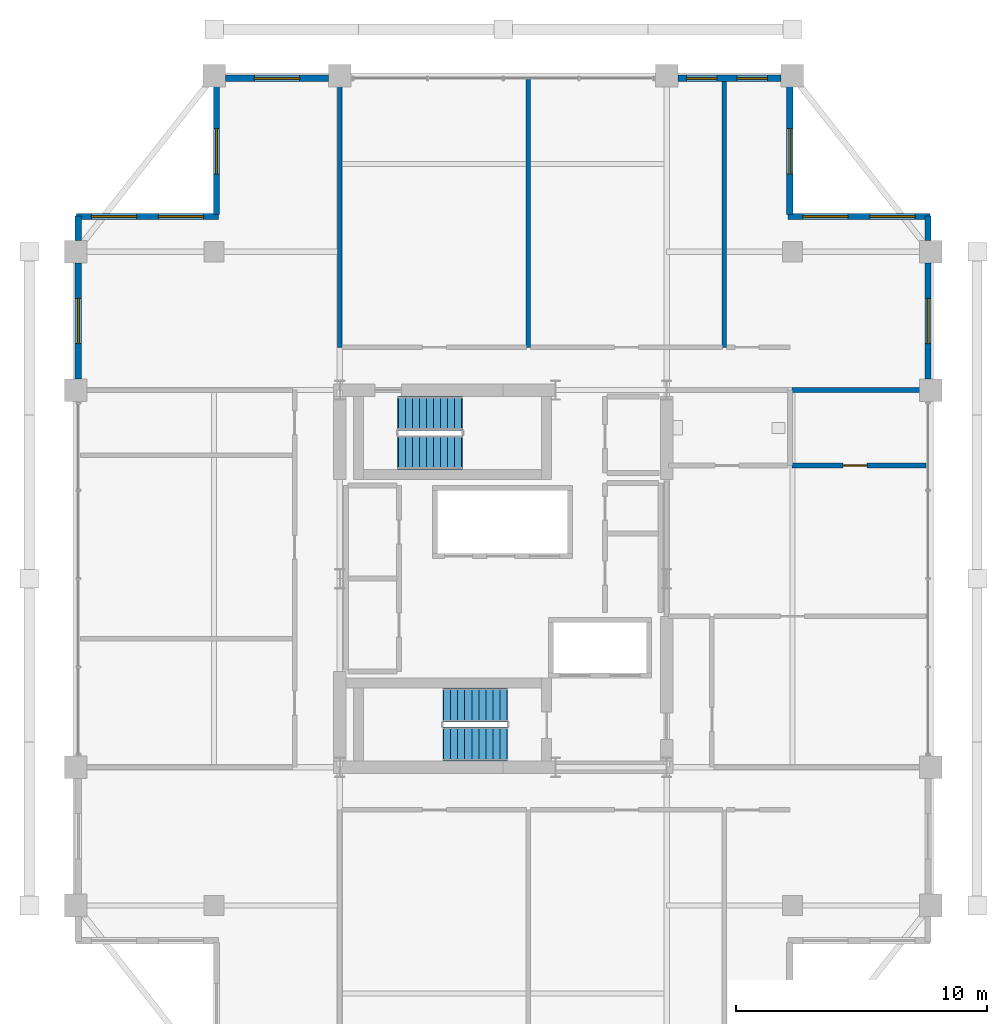
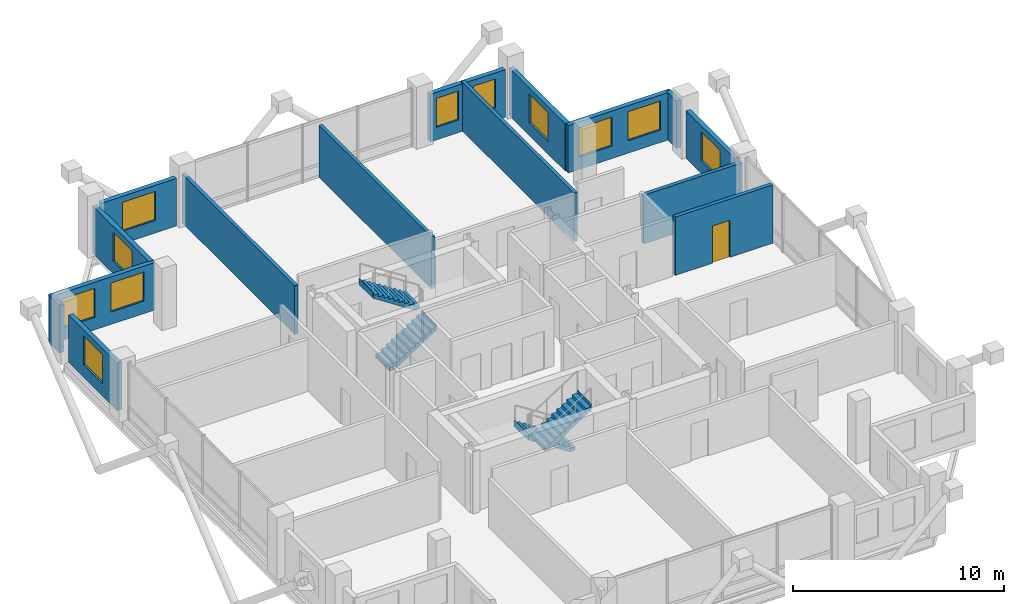
# One storey, part 20 of 22: 15 walls, 11 windows, 4 stair flights, 1 door, 12 openings, 2 elements without a shape of their own.
"""IFC4 building model written with IfcOpenShell, lengths in metres."""

from ifc_helpers import new_model, si_unit, direction, frame, frame_2d, origin, place, context, subcontext, project, spatial, polyline, rectangle, outline, extrude, material, layer, layer_set, type_object, element, fill, aggregate, save


model = new_model("IFC4")

# Units and contexts
model_context = context("Model", 3, precision=1e-05, world=origin(), true_north=direction((0.0, 1.0)))
body_context = subcontext(model_context, "Body", "Model", "MODEL_VIEW")
ifc_project = project(units=[si_unit("LENGTHUNIT", "METRE"), si_unit("AREAUNIT", "SQUARE_METRE"), si_unit("VOLUMEUNIT", "CUBIC_METRE"), si_unit("PLANEANGLEUNIT", "RADIAN"), si_unit("MASSUNIT", "GRAM", prefix="KILO")], contexts=[model_context])

# Site, building, storey
site_placement = place(None, origin())
site = spatial("IfcSite", under=ifc_project, at=site_placement, CompositionType="ELEMENT")
building_placement = place(site_placement, origin())
building = spatial("IfcBuilding", under=site, at=building_placement, Name="Barlavira Tower and Art Museum", CompositionType="ELEMENT")
storey_placement = place(building_placement, frame((0.0, 0.0, 258.300048828125)))
storey = spatial("IfcBuildingStorey", under=building, at=storey_placement, Name="L67", CompositionType="ELEMENT", Elevation=258.300048828125)

# Wall, opening, door
ifc_material_1 = material(Name="Autoclaved aerated concrete masonry", Category="masonry")
ifc_layer_1 = layer(ifc_material_1, 0.199951171875, Name="Autoclaved aerated concrete masonry")
ifc_layer_set_1 = layer_set([ifc_layer_1], Name="Autoclaved aerated concrete masonry")
wall_type_1 = type_object("IfcWallType", Name="Fire Compartment and Shaft Wall 200", PredefinedType="SOLIDWALL", material=ifc_layer_set_1)
wall_1_placement = place(storey_placement, frame((11.47998046875, 4.5, 0.0), z_axis=(0.0, 0.0, 1.0), x_axis=(1.0, 0.0, 0.0)))
wall_1 = element("IfcWall", 1, at=wall_1_placement, inside=storey, type_object=wall_type_1, Name="L67 Partition Wall 31", PredefinedType="SOLIDWALL", context=body_context, shape_type="SweptSolid", body=[
    extrude(rectangle(XDim=5.340087890625, YDim=0.199951171875, at=frame_2d((2.669921875, 0.0))), origin(), (0.0, 0.0, 1.0), 3.3798828125),
])
opening_1_placement = place(wall_1_placement, frame((2.044921875, 0.0, 0.0)))
opening_1 = element("IfcOpeningElement", 2, at=opening_1_placement, cuts=wall_1, Name="Opening FD-60", PredefinedType="OPENING", context=body_context, shape_type="SweptSolid", body=[
    extrude(rectangle(XDim=0.949951171875, YDim=2.14990234375, at=frame_2d((0.47509765625, 1.074951171875))), frame((0.0, 0.10986328125, 0.0), z_axis=(0.0, -1.0, 0.0), x_axis=(1.0, 0.0, 0.0)), (0.0, 0.0, 1.0), 0.219970703125),
])
ifc_material_2 = material(Name="Brushed stainless steel", Category="steel")
door_type = type_object("IfcDoorType", Name="Apartment Entrance and Riser Fire Door 950x2150 FD60S", OperationType="NOTDEFINED", PredefinedType="DOOR", material=ifc_material_2)
door_placement = place(opening_1_placement, origin())
door = element("IfcDoor", 3, at=door_placement, inside=storey, type_object=door_type, Name="High-Rise Amenity Linen Store Door", OperationType="SINGLE_SWING_LEFT", OverallHeight=2.14990234375, OverallWidth=0.949951171875, PredefinedType="DOOR", context=body_context, shape_type="SweptSolid", body=[
    extrude(rectangle(XDim=0.949951171875, YDim=2.14990234375, at=frame_2d((0.47509765625, 1.074951171875))), frame((0.0, 0.02490234375, 0.0), z_axis=(0.0, -1.0, 0.0), x_axis=(1.0, 0.0, 0.0)), (0.0, 0.0, 1.0), 0.050048828125),
])
fill(opening_1, door)

# Walls
wall_2_placement = place(storey_placement, frame((11.47998046875, 7.5, 0.0), z_axis=(0.0, 0.0, 1.0), x_axis=(1.0, 0.0, 0.0)))
element("IfcWall", 4, at=wall_2_placement, inside=storey, type_object=wall_type_1, Name="L67 Partition Wall 36", PredefinedType="SOLIDWALL", context=body_context, shape_type="SweptSolid", body=[
    extrude(rectangle(XDim=5.419921875, YDim=0.199951171875, at=frame_2d((2.7099609375, 0.0))), origin(), (0.0, 0.0, 1.0), 2.825927734375),
])
ifc_material_3 = material(Name="Gypsum acoustic stud partition", Category="gypsum")
ifc_layer_2 = layer(ifc_material_3, 0.179931640625, Name="Gypsum acoustic stud partition")
ifc_layer_set_2 = layer_set([ifc_layer_2], Name="Gypsum acoustic stud partition")
wall_type_2 = type_object("IfcWallType", Name="Inter-Tenancy Party Partition Wall 180", PredefinedType="PARTITIONING", material=ifc_layer_set_2)
wall_3_placement = place(storey_placement, frame((-6.5, 9.199951171875, 0.0), z_axis=(0.0, 0.0, 1.0), x_axis=(0.0, 1.0, 0.0)))
element("IfcWall", 5, at=wall_3_placement, inside=storey, type_object=wall_type_2, Name="L67 Partition Wall 3", PredefinedType="PARTITIONING", context=body_context, shape_type="SweptSolid", body=[
    extrude(rectangle(XDim=10.699951171875, YDim=0.179931640625, at=frame_2d((5.35009765625, 0.0))), origin(), (0.0, 0.0, 1.0), 2.825927734375),
])
wall_4_placement = place(storey_placement, frame((1.0, 9.199951171875, 0.0), z_axis=(0.0, 0.0, 1.0), x_axis=(0.0, 1.0, 0.0)))
element("IfcWall", 6, at=wall_4_placement, inside=storey, type_object=wall_type_2, Name="L67 Partition Wall 7", PredefinedType="PARTITIONING", context=body_context, shape_type="SweptSolid", body=[
    extrude(rectangle(XDim=10.699951171875, YDim=0.179931640625, at=frame_2d((5.35009765625, 0.0))), origin(), (0.0, 0.0, 1.0), 3.01806640625),
])
wall_5_placement = place(storey_placement, frame((8.800048828125, 9.199951171875, 0.0), z_axis=(0.0, 0.0, 1.0), x_axis=(0.0, 1.0, 0.0)))
element("IfcWall", 7, at=wall_5_placement, inside=storey, type_object=wall_type_2, Name="L67 Partition Wall 14", PredefinedType="PARTITIONING", context=body_context, shape_type="SweptSolid", body=[
    extrude(rectangle(XDim=10.699951171875, YDim=0.179931640625, at=frame_2d((5.35009765625, 0.0))), origin(), (0.0, 0.0, 1.0), 2.825927734375),
])

# Wall, openings, windows
ifc_material_4 = material(Name="Precast concrete C40", Category="concrete")
ifc_layer_3 = layer(ifc_material_4, 0.25, Name="Precast concrete C40")
ifc_layer_set_3 = layer_set([ifc_layer_3], Name="Precast concrete C40")
wall_type_3 = type_object("IfcWallType", Name="Notched Corner Spandrel Wall 250 Precast Concrete C40", PredefinedType="SOLIDWALL", material=ifc_layer_set_3)
wall_6_placement = place(storey_placement, frame((11.054931640625, 19.89990234375, 0.0), z_axis=(0.0, 0.0, 1.0), x_axis=(-1.0, 0.0, 0.0)))
wall_6 = element("IfcWall", 8, at=wall_6_placement, inside=storey, type_object=wall_type_3, Name="L67 Coastal Facade Pier Wall CW4-L67-N-1", PredefinedType="SOLIDWALL", context=body_context, shape_type="SweptSolid", body=[
    extrude(rectangle(XDim=4.10986328125, YDim=0.25, at=frame_2d((2.054931640625, 0.0))), origin(), (0.0, 0.0, 1.0), 2.748046875),
])
opening_2_placement = place(wall_6_placement, frame((0.550048828125, 0.0, 0.719970703125)))
opening_2 = element("IfcOpeningElement", 9, at=opening_2_placement, cuts=wall_6, Name="Opening WN-05", PredefinedType="OPENING", context=body_context, shape_type="SweptSolid", body=[
    extrude(rectangle(XDim=1.199951171875, YDim=1.679931640625, at=frame_2d((0.60009765625, 0.83984375))), frame((0.0, 0.135009765625, 0.0), z_axis=(0.0, -1.0, 0.0), x_axis=(1.0, 0.0, 0.0)), (0.0, 0.0, 1.0), 0.27001953125),
])
opening_3_placement = place(wall_6_placement, frame((2.56005859375, 0.0, 0.719970703125)))
opening_3 = element("IfcOpeningElement", 10, at=opening_3_placement, cuts=wall_6, Name="Opening WN-05", PredefinedType="OPENING", context=body_context, shape_type="SweptSolid", body=[
    extrude(rectangle(XDim=1.199951171875, YDim=1.679931640625, at=frame_2d((0.60009765625, 0.83984375))), frame((0.0, 0.135009765625, 0.0), z_axis=(0.0, -1.0, 0.0), x_axis=(1.0, 0.0, 0.0)), (0.0, 0.0, 1.0), 0.27001953125),
])
ifc_material_5 = material(Name="Low-iron coastal laminated glass", Category="glass")
window_type_1 = type_object("IfcWindowType", Name="Recessed Flank Pier Punch Window 1200x1680", PartitioningType="SINGLE_PANEL", PredefinedType="WINDOW", material=ifc_material_5)
window_1_placement = place(opening_2_placement, origin())
window_1 = element("IfcWindow", 11, at=window_1_placement, inside=storey, type_object=window_type_1, Name="L67 Punched Facade Window EWP-CW4-L67-N-1-1", OverallHeight=1.679931640625, OverallWidth=1.199951171875, PartitioningType="SINGLE_PANEL", PredefinedType="WINDOW", context=body_context, shape_type="SweptSolid", body=[
    extrude(rectangle(XDim=1.199951171875, YDim=1.679931640625, at=frame_2d((0.60009765625, 0.83984375))), frame((0.0, 0.030029296875, 0.0), z_axis=(0.0, -1.0, 0.0), x_axis=(1.0, 0.0, 0.0)), (0.0, 0.0, 1.0), 0.06005859375),
])
fill(opening_2, window_1)
window_2_placement = place(opening_3_placement, origin())
window_2 = element("IfcWindow", 12, at=window_2_placement, inside=storey, type_object=window_type_1, Name="L67 Punched Facade Window EWP-CW4-L67-N-1-2", OverallHeight=1.679931640625, OverallWidth=1.199951171875, PartitioningType="SINGLE_PANEL", PredefinedType="WINDOW", context=body_context, shape_type="SweptSolid", body=[
    extrude(rectangle(XDim=1.199951171875, YDim=1.679931640625, at=frame_2d((0.60009765625, 0.83984375))), frame((0.0, 0.030029296875, 0.0), z_axis=(0.0, -1.0, 0.0), x_axis=(1.0, 0.0, 0.0)), (0.0, 0.0, 1.0), 0.06005859375),
])
fill(opening_3, window_2)

# Wall, opening, window
wall_7_placement = place(storey_placement, frame((-6.945068359375, 19.89990234375, 0.0), z_axis=(0.0, 0.0, 1.0), x_axis=(-1.0, 0.0, 0.0)))
wall_7 = element("IfcWall", 13, at=wall_7_placement, inside=storey, type_object=wall_type_3, Name="L67 Coastal Facade Pier Wall CW4-L67-N-3", PredefinedType="SOLIDWALL", context=body_context, shape_type="SweptSolid", body=[
    extrude(rectangle(XDim=4.10986328125, YDim=0.25, at=frame_2d((2.054931640625, 0.0))), origin(), (0.0, 0.0, 1.0), 2.748046875),
])
opening_4_placement = place(wall_7_placement, frame((1.155029296875, 0.0, 0.719970703125)))
opening_4 = element("IfcOpeningElement", 14, at=opening_4_placement, cuts=wall_7, Name="Opening WN-01", PredefinedType="OPENING", context=body_context, shape_type="SweptSolid", body=[
    extrude(rectangle(XDim=1.800048828125, YDim=1.679931640625, at=frame_2d((0.89990234375, 0.83984375))), frame((0.0, 0.135009765625, 0.0), z_axis=(0.0, -1.0, 0.0), x_axis=(1.0, 0.0, 0.0)), (0.0, 0.0, 1.0), 0.27001953125),
])
window_type_2 = type_object("IfcWindowType", Name="Recessed Notch Corner Punch Window 1800x1680", PartitioningType="SINGLE_PANEL", PredefinedType="WINDOW", material=ifc_material_5)
window_3_placement = place(opening_4_placement, origin())
window_3 = element("IfcWindow", 15, at=window_3_placement, inside=storey, type_object=window_type_2, Name="L67 Punched Facade Window EWP-CW4-L67-N-3-1", OverallHeight=1.679931640625, OverallWidth=1.800048828125, PartitioningType="SINGLE_PANEL", PredefinedType="WINDOW", context=body_context, shape_type="SweptSolid", body=[
    extrude(rectangle(XDim=1.800048828125, YDim=1.679931640625, at=frame_2d((0.89990234375, 0.83984375))), frame((0.0, 0.030029296875, 0.0), z_axis=(0.0, -1.0, 0.0), x_axis=(1.0, 0.0, 0.0)), (0.0, 0.0, 1.0), 0.06005859375),
])
fill(opening_4, window_3)

# Wall
wall_8_placement = place(storey_placement, frame((-16.89990234375, 14.425048828125, 0.0), z_axis=(0.0, 0.0, 1.0), x_axis=(0.0, -1.0, 0.0)))
element("IfcWall", 16, at=wall_8_placement, inside=storey, type_object=wall_type_3, Name="L67 Coastal Facade Pier Wall CW4-L67-W-1", PredefinedType="SOLIDWALL", context=body_context, shape_type="SweptSolid", body=[
    extrude(rectangle(XDim=0.97998046875, YDim=0.25, at=frame_2d((0.489990234375, 0.0))), origin(), (0.0, 0.0, 1.0), 2.748046875),
])

# Wall, opening, window
wall_9_placement = place(storey_placement, frame((-16.89990234375, 12.554931640625, 0.0), z_axis=(0.0, 0.0, 1.0), x_axis=(0.0, -1.0, 0.0)))
wall_9 = element("IfcWall", 17, at=wall_9_placement, inside=storey, type_object=wall_type_3, Name="L67 Coastal Facade Pier Wall CW4-L67-W-2", PredefinedType="SOLIDWALL", context=body_context, shape_type="SweptSolid", body=[
    extrude(rectangle(XDim=4.60986328125, YDim=0.25, at=frame_2d((2.304931640625, 0.0))), origin(), (0.0, 0.0, 1.0), 2.748046875),
])
opening_5_placement = place(wall_9_placement, frame((1.405029296875, 0.0, 0.719970703125)))
opening_5 = element("IfcOpeningElement", 18, at=opening_5_placement, cuts=wall_9, Name="Opening WN-01", PredefinedType="OPENING", context=body_context, shape_type="SweptSolid", body=[
    extrude(rectangle(XDim=1.800048828125, YDim=1.679931640625, at=frame_2d((0.89990234375, 0.83984375))), frame((0.0, 0.135009765625, 0.0), z_axis=(0.0, -1.0, 0.0), x_axis=(1.0, 0.0, 0.0)), (0.0, 0.0, 1.0), 0.27001953125),
])
window_4_placement = place(opening_5_placement, origin())
window_4 = element("IfcWindow", 19, at=window_4_placement, inside=storey, type_object=window_type_2, Name="L67 Punched Facade Window EWP-CW4-L67-W-2-1", OverallHeight=1.679931640625, OverallWidth=1.800048828125, PartitioningType="SINGLE_PANEL", PredefinedType="WINDOW", context=body_context, shape_type="SweptSolid", body=[
    extrude(rectangle(XDim=1.800048828125, YDim=1.679931640625, at=frame_2d((0.89990234375, 0.83984375))), frame((0.0, 0.030029296875, 0.0), z_axis=(0.0, -1.0, 0.0), x_axis=(1.0, 0.0, 0.0)), (0.0, 0.0, 1.0), 0.06005859375),
])
fill(opening_5, window_4)

wall_10_placement = place(storey_placement, frame((16.89990234375, 7.945068359375, 0.0), z_axis=(0.0, 0.0, 1.0), x_axis=(0.0, 1.0, 0.0)))
wall_10 = element("IfcWall", 20, at=wall_10_placement, inside=storey, type_object=wall_type_3, Name="L67 Coastal Facade Pier Wall CW4-L67-E-4", PredefinedType="SOLIDWALL", context=body_context, shape_type="SweptSolid", body=[
    extrude(rectangle(XDim=4.60986328125, YDim=0.25, at=frame_2d((2.304931640625, 0.0))), origin(), (0.0, 0.0, 1.0), 2.748046875),
])
opening_6_placement = place(wall_10_placement, frame((1.405029296875, 0.0, 0.719970703125)))
opening_6 = element("IfcOpeningElement", 21, at=opening_6_placement, cuts=wall_10, Name="Opening WN-01", PredefinedType="OPENING", context=body_context, shape_type="SweptSolid", body=[
    extrude(rectangle(XDim=1.800048828125, YDim=1.679931640625, at=frame_2d((0.89990234375, 0.83984375))), frame((0.0, 0.135009765625, 0.0), z_axis=(0.0, -1.0, 0.0), x_axis=(1.0, 0.0, 0.0)), (0.0, 0.0, 1.0), 0.27001953125),
])
window_5_placement = place(opening_6_placement, origin())
window_5 = element("IfcWindow", 22, at=window_5_placement, inside=storey, type_object=window_type_2, Name="L67 Punched Facade Window EWP-CW4-L67-E-4-1", OverallHeight=1.679931640625, OverallWidth=1.800048828125, PartitioningType="SINGLE_PANEL", PredefinedType="WINDOW", context=body_context, shape_type="SweptSolid", body=[
    extrude(rectangle(XDim=1.800048828125, YDim=1.679931640625, at=frame_2d((0.89990234375, 0.83984375))), frame((0.0, 0.030029296875, 0.0), z_axis=(0.0, -1.0, 0.0), x_axis=(1.0, 0.0, 0.0)), (0.0, 0.0, 1.0), 0.06005859375),
])
fill(opening_6, window_5)

# Wall
wall_11_placement = place(storey_placement, frame((16.89990234375, 13.445068359375, 0.0), z_axis=(0.0, 0.0, 1.0), x_axis=(0.0, 1.0, 0.0)))
element("IfcWall", 23, at=wall_11_placement, inside=storey, type_object=wall_type_3, Name="L67 Coastal Facade Pier Wall CW4-L67-E-5", PredefinedType="SOLIDWALL", context=body_context, shape_type="SweptSolid", body=[
    extrude(rectangle(XDim=0.97998046875, YDim=0.25, at=frame_2d((0.489990234375, 0.0))), origin(), (0.0, 0.0, 1.0), 2.748046875),
])

# Wall, openings, windows
wall_12_placement = place(storey_placement, frame((16.97998046875, 14.39990234375, 0.0), z_axis=(0.0, 0.0, 1.0), x_axis=(-1.0, 0.0, 0.0)))
wall_12 = element("IfcWall", 24, at=wall_12_placement, inside=storey, type_object=wall_type_3, Name="L67 Notch Corner Wall NE1", PredefinedType="SOLIDWALL", context=body_context, shape_type="SweptSolid", body=[
    extrude(rectangle(XDim=5.659912109375, YDim=0.25, at=frame_2d((2.830078125, 0.0))), origin(), (0.0, 0.0, 1.0), 2.748046875),
])
opening_7_placement = place(wall_12_placement, frame((0.594970703125, 0.0, 0.719970703125)))
opening_7 = element("IfcOpeningElement", 25, at=opening_7_placement, cuts=wall_12, Name="Opening WN-01", PredefinedType="OPENING", context=body_context, shape_type="SweptSolid", body=[
    extrude(rectangle(XDim=1.800048828125, YDim=1.679931640625, at=frame_2d((0.89990234375, 0.83984375))), frame((0.0, 0.135009765625, 0.0), z_axis=(0.0, -1.0, 0.0), x_axis=(1.0, 0.0, 0.0)), (0.0, 0.0, 1.0), 0.27001953125),
])
opening_8_placement = place(wall_12_placement, frame((3.264892578125, 0.0, 0.719970703125)))
opening_8 = element("IfcOpeningElement", 26, at=opening_8_placement, cuts=wall_12, Name="Opening WN-01", PredefinedType="OPENING", context=body_context, shape_type="SweptSolid", body=[
    extrude(rectangle(XDim=1.800048828125, YDim=1.679931640625, at=frame_2d((0.89990234375, 0.83984375))), frame((0.0, 0.135009765625, 0.0), z_axis=(0.0, -1.0, 0.0), x_axis=(1.0, 0.0, 0.0)), (0.0, 0.0, 1.0), 0.27001953125),
])
window_6_placement = place(opening_7_placement, origin())
window_6 = element("IfcWindow", 27, at=window_6_placement, inside=storey, type_object=window_type_2, Name="L67 Punched Facade Window EW-NTC-L67-NE1-1", OverallHeight=1.679931640625, OverallWidth=1.800048828125, PartitioningType="SINGLE_PANEL", PredefinedType="WINDOW", context=body_context, shape_type="SweptSolid", body=[
    extrude(rectangle(XDim=1.800048828125, YDim=1.679931640625, at=frame_2d((0.89990234375, 0.83984375))), frame((0.0, 0.030029296875, 0.0), z_axis=(0.0, -1.0, 0.0), x_axis=(1.0, 0.0, 0.0)), (0.0, 0.0, 1.0), 0.06005859375),
])
fill(opening_7, window_6)
window_7_placement = place(opening_8_placement, origin())
window_7 = element("IfcWindow", 28, at=window_7_placement, inside=storey, type_object=window_type_2, Name="L67 Punched Facade Window EW-NTC-L67-NE1-2", OverallHeight=1.679931640625, OverallWidth=1.800048828125, PartitioningType="SINGLE_PANEL", PredefinedType="WINDOW", context=body_context, shape_type="SweptSolid", body=[
    extrude(rectangle(XDim=1.800048828125, YDim=1.679931640625, at=frame_2d((0.89990234375, 0.83984375))), frame((0.0, 0.030029296875, 0.0), z_axis=(0.0, -1.0, 0.0), x_axis=(1.0, 0.0, 0.0)), (0.0, 0.0, 1.0), 0.06005859375),
])
fill(opening_8, window_7)

# Wall, opening, window
wall_13_placement = place(storey_placement, frame((11.39990234375, 14.47998046875, 0.0), z_axis=(0.0, 0.0, 1.0), x_axis=(0.0, 1.0, 0.0)))
wall_13 = element("IfcWall", 29, at=wall_13_placement, inside=storey, type_object=wall_type_3, Name="L67 Notch Corner Wall NE2", PredefinedType="SOLIDWALL", context=body_context, shape_type="SweptSolid", body=[
    extrude(rectangle(XDim=5.340087890625, YDim=0.25, at=frame_2d((2.669921875, 0.0))), origin(), (0.0, 0.0, 1.0), 2.748046875),
])
opening_9_placement = place(wall_13_placement, frame((1.614990234375, 0.0, 0.719970703125)))
opening_9 = element("IfcOpeningElement", 30, at=opening_9_placement, cuts=wall_13, Name="Opening WN-01", PredefinedType="OPENING", context=body_context, shape_type="SweptSolid", body=[
    extrude(rectangle(XDim=1.800048828125, YDim=1.679931640625, at=frame_2d((0.89990234375, 0.83984375))), frame((0.0, 0.135009765625, 0.0), z_axis=(0.0, -1.0, 0.0), x_axis=(1.0, 0.0, 0.0)), (0.0, 0.0, 1.0), 0.27001953125),
])
window_8_placement = place(opening_9_placement, origin())
window_8 = element("IfcWindow", 31, at=window_8_placement, inside=storey, type_object=window_type_2, Name="L67 Punched Facade Window EW-NTC-L67-NE2-1", OverallHeight=1.679931640625, OverallWidth=1.800048828125, PartitioningType="SINGLE_PANEL", PredefinedType="WINDOW", context=body_context, shape_type="SweptSolid", body=[
    extrude(rectangle(XDim=1.800048828125, YDim=1.679931640625, at=frame_2d((0.89990234375, 0.83984375))), frame((0.0, 0.030029296875, 0.0), z_axis=(0.0, -1.0, 0.0), x_axis=(1.0, 0.0, 0.0)), (0.0, 0.0, 1.0), 0.06005859375),
])
fill(opening_9, window_8)

wall_14_placement = place(storey_placement, frame((-11.39990234375, 19.820068359375, 0.0), z_axis=(0.0, 0.0, 1.0), x_axis=(0.0, -1.0, 0.0)))
wall_14 = element("IfcWall", 32, at=wall_14_placement, inside=storey, type_object=wall_type_3, Name="L67 Notch Corner Wall NW1", PredefinedType="SOLIDWALL", context=body_context, shape_type="SweptSolid", body=[
    extrude(rectangle(XDim=5.340087890625, YDim=0.25, at=frame_2d((2.669921875, 0.0))), origin(), (0.0, 0.0, 1.0), 2.748046875),
])
opening_10_placement = place(wall_14_placement, frame((1.925048828125, 0.0, 0.719970703125)))
opening_10 = element("IfcOpeningElement", 33, at=opening_10_placement, cuts=wall_14, Name="Opening WN-01", PredefinedType="OPENING", context=body_context, shape_type="SweptSolid", body=[
    extrude(rectangle(XDim=1.800048828125, YDim=1.679931640625, at=frame_2d((0.89990234375, 0.83984375))), frame((0.0, 0.135009765625, 0.0), z_axis=(0.0, -1.0, 0.0), x_axis=(1.0, 0.0, 0.0)), (0.0, 0.0, 1.0), 0.27001953125),
])
window_9_placement = place(opening_10_placement, origin())
window_9 = element("IfcWindow", 34, at=window_9_placement, inside=storey, type_object=window_type_2, Name="L67 Punched Facade Window EW-NTC-L67-NW1-1", OverallHeight=1.679931640625, OverallWidth=1.800048828125, PartitioningType="SINGLE_PANEL", PredefinedType="WINDOW", context=body_context, shape_type="SweptSolid", body=[
    extrude(rectangle(XDim=1.800048828125, YDim=1.679931640625, at=frame_2d((0.89990234375, 0.83984375))), frame((0.0, 0.030029296875, 0.0), z_axis=(0.0, -1.0, 0.0), x_axis=(1.0, 0.0, 0.0)), (0.0, 0.0, 1.0), 0.06005859375),
])
fill(opening_10, window_9)

# Wall, openings, windows
wall_15_placement = place(storey_placement, frame((-11.320068359375, 14.39990234375, 0.0), z_axis=(0.0, 0.0, 1.0), x_axis=(-1.0, 0.0, 0.0)))
wall_15 = element("IfcWall", 35, at=wall_15_placement, inside=storey, type_object=wall_type_3, Name="L67 Notch Corner Wall NW2", PredefinedType="SOLIDWALL", context=body_context, shape_type="SweptSolid", body=[
    extrude(rectangle(XDim=5.659912109375, YDim=0.25, at=frame_2d((2.830078125, 0.0))), origin(), (0.0, 0.0, 1.0), 2.748046875),
])
opening_11_placement = place(wall_15_placement, frame((0.594970703125, 0.0, 0.719970703125)))
opening_11 = element("IfcOpeningElement", 36, at=opening_11_placement, cuts=wall_15, Name="Opening WN-01", PredefinedType="OPENING", context=body_context, shape_type="SweptSolid", body=[
    extrude(rectangle(XDim=1.800048828125, YDim=1.679931640625, at=frame_2d((0.89990234375, 0.83984375))), frame((0.0, 0.135009765625, 0.0), z_axis=(0.0, -1.0, 0.0), x_axis=(1.0, 0.0, 0.0)), (0.0, 0.0, 1.0), 0.27001953125),
])
opening_12_placement = place(wall_15_placement, frame((3.264892578125, 0.0, 0.719970703125)))
opening_12 = element("IfcOpeningElement", 37, at=opening_12_placement, cuts=wall_15, Name="Opening WN-01", PredefinedType="OPENING", context=body_context, shape_type="SweptSolid", body=[
    extrude(rectangle(XDim=1.800048828125, YDim=1.679931640625, at=frame_2d((0.89990234375, 0.83984375))), frame((0.0, 0.135009765625, 0.0), z_axis=(0.0, -1.0, 0.0), x_axis=(1.0, 0.0, 0.0)), (0.0, 0.0, 1.0), 0.27001953125),
])
window_10_placement = place(opening_11_placement, origin())
window_10 = element("IfcWindow", 38, at=window_10_placement, inside=storey, type_object=window_type_2, Name="L67 Punched Facade Window EW-NTC-L67-NW2-1", OverallHeight=1.679931640625, OverallWidth=1.800048828125, PartitioningType="SINGLE_PANEL", PredefinedType="WINDOW", context=body_context, shape_type="SweptSolid", body=[
    extrude(rectangle(XDim=1.800048828125, YDim=1.679931640625, at=frame_2d((0.89990234375, 0.83984375))), frame((0.0, 0.030029296875, 0.0), z_axis=(0.0, -1.0, 0.0), x_axis=(1.0, 0.0, 0.0)), (0.0, 0.0, 1.0), 0.06005859375),
])
fill(opening_11, window_10)
window_11_placement = place(opening_12_placement, origin())
window_11 = element("IfcWindow", 39, at=window_11_placement, inside=storey, type_object=window_type_2, Name="L67 Punched Facade Window EW-NTC-L67-NW2-2", OverallHeight=1.679931640625, OverallWidth=1.800048828125, PartitioningType="SINGLE_PANEL", PredefinedType="WINDOW", context=body_context, shape_type="SweptSolid", body=[
    extrude(rectangle(XDim=1.800048828125, YDim=1.679931640625, at=frame_2d((0.89990234375, 0.83984375))), frame((0.0, 0.030029296875, 0.0), z_axis=(0.0, -1.0, 0.0), x_axis=(1.0, 0.0, 0.0)), (0.0, 0.0, 1.0), 0.06005859375),
])
fill(opening_12, window_11)

# Stair, stair flights
ifc_material_6 = material(Name="Concrete C45", Category="concrete")
stair_type_1 = type_object("IfcStairType", Name="Tower North Dog-Leg Exit Stair Assembly Concrete C45", PredefinedType="TWO_QUARTER_TURN_STAIR", material=ifc_material_6)
stair_1_placement = place(storey_placement, origin())
stair_1 = element("IfcStair", 40, at=stair_1_placement, inside=storey, type_object=stair_type_1, Name="L67 Tower North Exit Stair ST-T2", PredefinedType="TWO_QUARTER_TURN_STAIR")
ifc_material_7 = material(Name="Precast concrete C45", Category="concrete")
stair_flight_type_1 = type_object("IfcStairFlightType", Name="Tower North Dog-Leg Exit Stair Precast Flight 1350 Concrete C45", PredefinedType="STRAIGHT", material=ifc_material_7)
stair_flight_1_placement = place(storey_placement, frame((-4.169921875, 5.02490234375, 0.0), z_axis=(0.0, 0.0, 1.0), x_axis=(1.0, 0.0, 0.0)))
stair_flight_1 = element("IfcStairFlight", 41, at=stair_flight_1_placement, type_object=stair_flight_type_1, Name="ST-T2 flight 1", NumberOfRisers=10, NumberOfTreads=9, PredefinedType="STRAIGHT", RiserHeight=0.18, TreadLength=0.28, context=body_context, shape_type="SweptSolid", body=[
    extrude(outline(polyline([(-0.02490234375, 0.0), (0.0, 0.0), (0.0, 0.179931640625), (0.280029296875, 0.179931640625), (0.280029296875, 0.360107421875), (0.56005859375, 0.360107421875), (0.56005859375, 0.5400390625), (0.840087890625, 0.5400390625), (0.840087890625, 0.719970703125), (1.1201171875, 0.719970703125), (1.1201171875, 0.89990234375), (1.39990234375, 0.89990234375), (1.39990234375, 1.080078125), (1.679931640625, 1.080078125), (1.679931640625, 1.260009765625), (1.9599609375, 1.260009765625), (1.9599609375, 1.43994140625), (2.239990234375, 1.43994140625), (2.239990234375, 1.6201171875), (2.52001953125, 1.6201171875), (2.52001953125, 1.800048828125), (2.544921875, 1.800048828125), (2.544921875, 1.44189453125), (2.52001953125, 1.44189453125), (0.277099609375, -0.02490234375), (-0.02490234375, -0.02490234375), (-0.02490234375, 0.0)])), frame((0.0, 0.675048828125, 0.0), z_axis=(0.0, -1.0, 0.0), x_axis=(1.0, 0.0, 0.0)), (0.0, 0.0, 1.0), 1.35009765625),
])
stair_flight_2_placement = place(storey_placement, frame((-1.64990234375, 6.574951171875, 1.800048828125), z_axis=(0.0, 0.0, 1.0), x_axis=(-1.0, 0.0, 0.0)))
stair_flight_2 = element("IfcStairFlight", 42, at=stair_flight_2_placement, type_object=stair_flight_type_1, Name="ST-T2 flight 2", NumberOfRisers=10, NumberOfTreads=9, PredefinedType="STRAIGHT", RiserHeight=0.18, TreadLength=0.28, context=body_context, shape_type="SweptSolid", body=[
    extrude(outline(polyline([(-0.02490234375, 0.0), (0.0, 0.0), (0.0, 0.179931640625), (0.280029296875, 0.179931640625), (0.280029296875, 0.360107421875), (0.56005859375, 0.360107421875), (0.56005859375, 0.5400390625), (0.840087890625, 0.5400390625), (0.840087890625, 0.719970703125), (1.1201171875, 0.719970703125), (1.1201171875, 0.89990234375), (1.39990234375, 0.89990234375), (1.39990234375, 1.080078125), (1.679931640625, 1.080078125), (1.679931640625, 1.260009765625), (1.9599609375, 1.260009765625), (1.9599609375, 1.43994140625), (2.239990234375, 1.43994140625), (2.239990234375, 1.6201171875), (2.52001953125, 1.6201171875), (2.52001953125, 1.800048828125), (2.544921875, 1.800048828125), (2.544921875, 1.44189453125), (2.52001953125, 1.44189453125), (0.277099609375, -0.02490234375), (-0.02490234375, -0.02490234375), (-0.02490234375, 0.0)])), frame((0.0, 0.675048828125, 0.0), z_axis=(0.0, -1.0, 0.0), x_axis=(1.0, 0.0, 0.0)), (0.0, 0.0, 1.0), 1.35009765625),
])
aggregate(stair_1, [stair_flight_1, stair_flight_2])

stair_type_2 = type_object("IfcStairType", Name="Tower South Dog-Leg Exit Stair Assembly Concrete C45", PredefinedType="TWO_QUARTER_TURN_STAIR", material=ifc_material_6)
stair_2_placement = place(storey_placement, origin())
stair_2 = element("IfcStair", 43, at=stair_2_placement, inside=storey, type_object=stair_type_2, Name="L67 Tower South Exit Stair ST-T1", PredefinedType="TWO_QUARTER_TURN_STAIR")
stair_flight_type_2 = type_object("IfcStairFlightType", Name="Tower South Dog-Leg Exit Stair Precast Flight 1350 Concrete C45", PredefinedType="STRAIGHT", material=ifc_material_7)
stair_flight_3_placement = place(storey_placement, frame((0.14990234375, -5.02490234375, 0.0), z_axis=(0.0, 0.0, 1.0), x_axis=(-1.0, 0.0, 0.0)))
stair_flight_3 = element("IfcStairFlight", 44, at=stair_flight_3_placement, type_object=stair_flight_type_2, Name="ST-T1 flight 1", NumberOfRisers=10, NumberOfTreads=9, PredefinedType="STRAIGHT", RiserHeight=0.18, TreadLength=0.28, context=body_context, shape_type="SweptSolid", body=[
    extrude(outline(polyline([(-0.02490234375, 0.0), (0.0, 0.0), (0.0, 0.179931640625), (0.280029296875, 0.179931640625), (0.280029296875, 0.360107421875), (0.56005859375, 0.360107421875), (0.56005859375, 0.5400390625), (0.840087890625, 0.5400390625), (0.840087890625, 0.719970703125), (1.1201171875, 0.719970703125), (1.1201171875, 0.89990234375), (1.39990234375, 0.89990234375), (1.39990234375, 1.080078125), (1.679931640625, 1.080078125), (1.679931640625, 1.260009765625), (1.9599609375, 1.260009765625), (1.9599609375, 1.43994140625), (2.239990234375, 1.43994140625), (2.239990234375, 1.6201171875), (2.52001953125, 1.6201171875), (2.52001953125, 1.800048828125), (2.544921875, 1.800048828125), (2.544921875, 1.44189453125), (2.52001953125, 1.44189453125), (0.277099609375, -0.02490234375), (-0.02490234375, -0.02490234375), (-0.02490234375, 0.0)])), frame((0.0, 0.675048828125, 0.0), z_axis=(0.0, -1.0, 0.0), x_axis=(1.0, 0.0, 0.0)), (0.0, 0.0, 1.0), 1.35009765625),
])
stair_flight_4_placement = place(storey_placement, frame((-2.3701171875, -6.574951171875, 1.800048828125), z_axis=(0.0, 0.0, 1.0), x_axis=(1.0, 0.0, 0.0)))
stair_flight_4 = element("IfcStairFlight", 45, at=stair_flight_4_placement, type_object=stair_flight_type_2, Name="ST-T1 flight 2", NumberOfRisers=10, NumberOfTreads=9, PredefinedType="STRAIGHT", RiserHeight=0.18, TreadLength=0.28, context=body_context, shape_type="SweptSolid", body=[
    extrude(outline(polyline([(-0.02490234375, 0.0), (0.0, 0.0), (0.0, 0.179931640625), (0.280029296875, 0.179931640625), (0.280029296875, 0.360107421875), (0.56005859375, 0.360107421875), (0.56005859375, 0.5400390625), (0.840087890625, 0.5400390625), (0.840087890625, 0.719970703125), (1.1201171875, 0.719970703125), (1.1201171875, 0.89990234375), (1.39990234375, 0.89990234375), (1.39990234375, 1.080078125), (1.679931640625, 1.080078125), (1.679931640625, 1.260009765625), (1.9599609375, 1.260009765625), (1.9599609375, 1.43994140625), (2.239990234375, 1.43994140625), (2.239990234375, 1.6201171875), (2.52001953125, 1.6201171875), (2.52001953125, 1.800048828125), (2.544921875, 1.800048828125), (2.544921875, 1.44189453125), (2.52001953125, 1.44189453125), (0.277099609375, -0.02490234375), (-0.02490234375, -0.02490234375), (-0.02490234375, 0.0)])), frame((0.0, 0.675048828125, 0.0), z_axis=(0.0, -1.0, 0.0), x_axis=(1.0, 0.0, 0.0)), (0.0, 0.0, 1.0), 1.35009765625),
])
aggregate(stair_2, [stair_flight_3, stair_flight_4])

save(model, "model.ifc")
